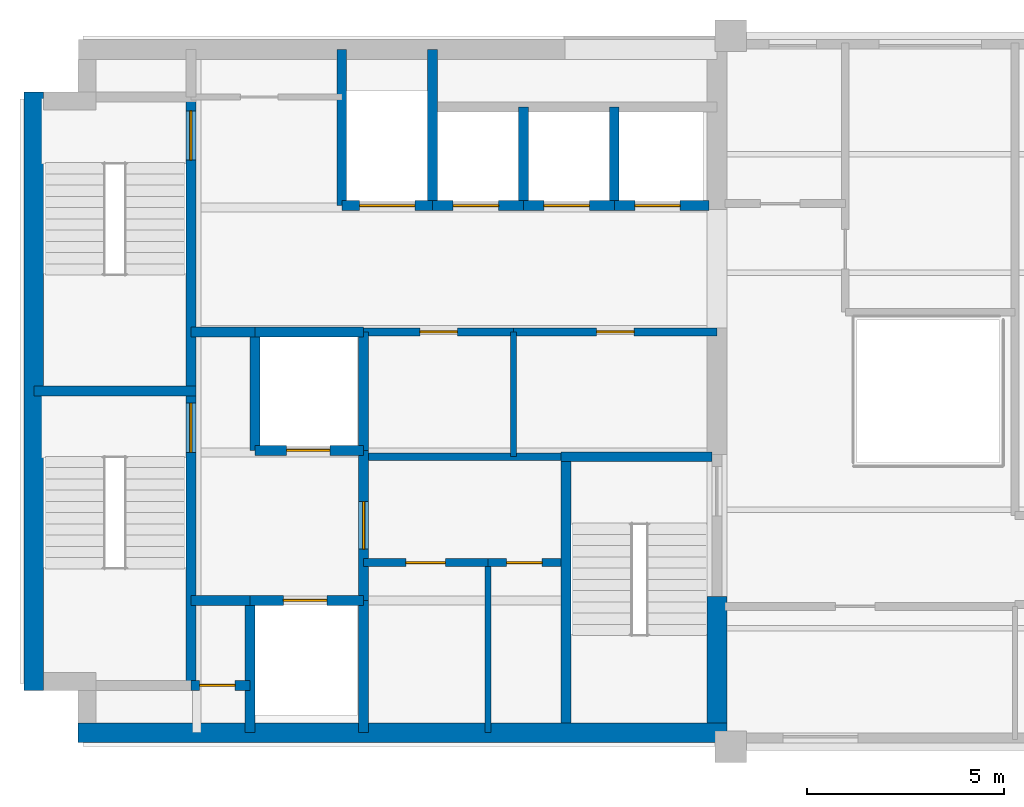
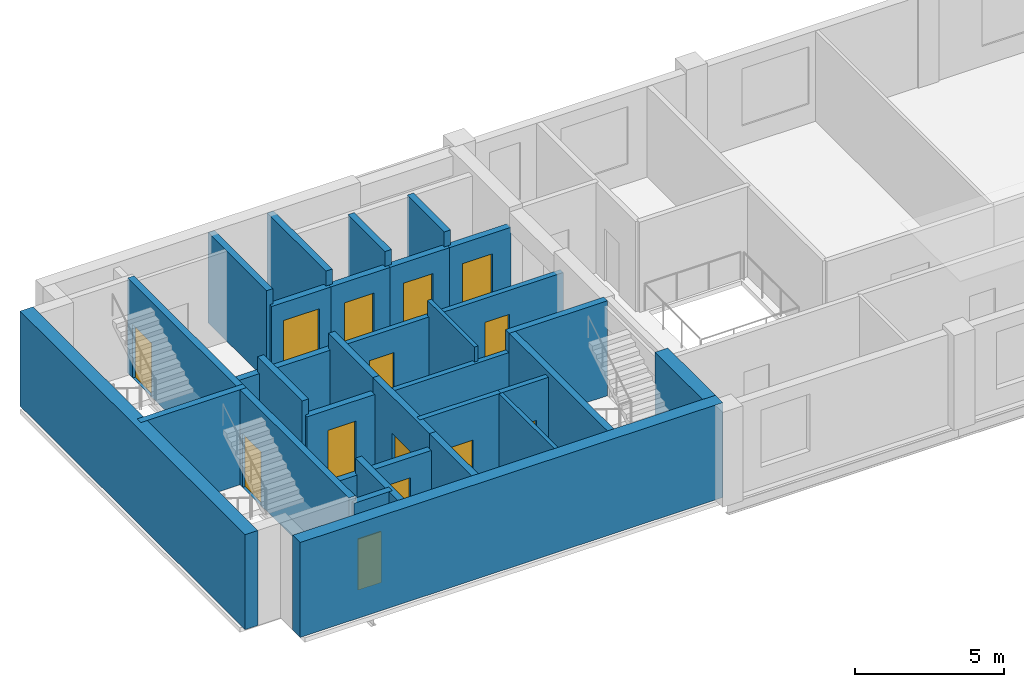
# One storey, part 2 of 5: 34 walls, 14 doors, 14 openings.
"""IFC4 building model written with IfcOpenShell, lengths in metres."""

from ifc_helpers import new_model, si_unit, direction, frame, frame_2d, origin, place, context, subcontext, project, spatial, rectangle, extrude, material, layer, layer_set, type_object, element, fill, save


model = new_model("IFC4")

# Units and contexts
model_context = context("Model", 3, precision=1e-05, world=origin(), true_north=direction((0.0, 1.0)))
body_context = subcontext(model_context, "Body", "Model", "MODEL_VIEW")
ifc_project = project(units=[si_unit("LENGTHUNIT", "METRE"), si_unit("AREAUNIT", "SQUARE_METRE"), si_unit("VOLUMEUNIT", "CUBIC_METRE"), si_unit("PLANEANGLEUNIT", "RADIAN"), si_unit("MASSUNIT", "GRAM", prefix="KILO")], contexts=[model_context])

# Site, building, storey
site_placement = place(None, origin())
site = spatial("IfcSite", under=ifc_project, at=site_placement, CompositionType="ELEMENT")
building_placement = place(site_placement, origin())
building = spatial("IfcBuilding", under=site, at=building_placement, Name="Mawjdan Bourse Tower", CompositionType="ELEMENT")
storey_placement = place(building_placement, frame((0.0, 0.0, 258.60009765625)))
storey = spatial("IfcBuildingStorey", under=building, at=storey_placement, Name="L63", CompositionType="ELEMENT", Elevation=258.60009765625)

# Wall, opening, door
ifc_material_1 = material(Name="Gypsum Fireboard Assembly")
ifc_layer_1 = layer(ifc_material_1, 0.199951171875)
ifc_layer_set_1 = layer_set([ifc_layer_1], Name="Gypsum Fireboard Assembly")
wall_type_1 = type_object("IfcWallType", Name="WL-CMP-200", PredefinedType="PARTITIONING", material=ifc_layer_set_1)
wall_1_placement = place(storey_placement, frame((14.699951171875, 7.659912109375, 0.0), z_axis=(0.0, 0.0, 1.0), x_axis=(1.0, 0.0, 0.0)))
wall_1 = element("IfcWall", 1, at=wall_1_placement, inside=storey, type_object=wall_type_1, Name="L63 Prayer & Quiet Reflection Room North Wall", PredefinedType="PARTITIONING", context=body_context, shape_type="SweptSolid", body=[
    extrude(rectangle(XDim=3.150146484375, YDim=0.199951171875, at=frame_2d((1.5751953125, 0.0))), origin(), (0.0, 0.0, 1.0), 3.704833984375),
])
opening_1_placement = place(wall_1_placement, frame((1.074951171875, 0.0, 0.0)))
opening_1 = element("IfcOpeningElement", 2, at=opening_1_placement, cuts=wall_1, Name="Opening D-L63-13", PredefinedType="OPENING", context=body_context, shape_type="SweptSolid", body=[
    extrude(rectangle(XDim=1.0, YDim=2.14990234375, at=frame_2d((0.5, 1.074951171875))), frame((0.0, 0.10986328125, 0.0), z_axis=(0.0, -1.0, 0.0), x_axis=(1.0, 0.0, 0.0)), (0.0, 0.0, 1.0), 0.219970703125),
])
ifc_material_2 = material(Name="Hardwood Acoustic Leaf", Category="wood")
door_type_1 = type_object("IfcDoorType", Name="DR-OFC-1000", OperationType="NOTDEFINED", PredefinedType="DOOR", material=ifc_material_2)
door_1_placement = place(opening_1_placement, origin())
door_1 = element("IfcDoor", 3, at=door_1_placement, inside=storey, type_object=door_type_1, Name="L63 Prayer & Quiet Reflection Room Door D-L63-13", OperationType="SINGLE_SWING_RIGHT", OverallHeight=2.14990234375, OverallWidth=1.0, PredefinedType="DOOR", context=body_context, shape_type="SweptSolid", body=[
    extrude(rectangle(XDim=1.0, YDim=2.14990234375, at=frame_2d((0.5, 1.074951171875))), frame((0.0, 0.02490234375, 0.0), z_axis=(0.0, -1.0, 0.0), x_axis=(1.0, 0.0, 0.0)), (0.0, 0.0, 1.0), 0.050048828125),
])
fill(opening_1, door_1)

wall_2_placement = place(storey_placement, frame((17.85009765625, 7.659912109375, 0.0), z_axis=(0.0, 0.0, 1.0), x_axis=(1.0, 0.0, 0.0)))
wall_2 = element("IfcWall", 4, at=wall_2_placement, inside=storey, type_object=wall_type_1, Name="L63 Electrical Switchboard Room North Wall", PredefinedType="PARTITIONING", context=body_context, shape_type="SweptSolid", body=[
    extrude(rectangle(XDim=1.849853515625, YDim=0.199951171875, at=frame_2d((0.9248046875, 0.0))), origin(), (0.0, 0.0, 1.0), 3.704833984375),
])
opening_2_placement = place(wall_2_placement, frame((0.47509765625, 0.0, 0.0)))
opening_2 = element("IfcOpeningElement", 5, at=opening_2_placement, cuts=wall_2, Name="Opening D-L63-14", PredefinedType="OPENING", context=body_context, shape_type="SweptSolid", body=[
    extrude(rectangle(XDim=0.89990234375, YDim=2.10009765625, at=frame_2d((0.449951171875, 1.050048828125))), frame((0.0, 0.10986328125, 0.0), z_axis=(0.0, -1.0, 0.0), x_axis=(1.0, 0.0, 0.0)), (0.0, 0.0, 1.0), 0.219970703125),
])
ifc_material_3 = material(Name="Fire-Rated Steel Access Leaf", Category="steel")
door_type_2 = type_object("IfcDoorType", Name="FD-RSR-0900", OperationType="NOTDEFINED", PredefinedType="TRAPDOOR", material=ifc_material_3)
door_2_placement = place(opening_2_placement, origin())
door_2 = element("IfcDoor", 6, at=door_2_placement, inside=storey, type_object=door_type_2, Name="L63 Electrical Switchboard Room Door D-L63-14", OperationType="SINGLE_SWING_LEFT", OverallHeight=2.10009765625, OverallWidth=0.89990234375, PredefinedType="TRAPDOOR", context=body_context, shape_type="SweptSolid", body=[
    extrude(rectangle(XDim=0.89990234375, YDim=2.10009765625, at=frame_2d((0.449951171875, 1.050048828125))), frame((0.0, 0.02490234375, 0.0), z_axis=(0.0, -1.0, 0.0), x_axis=(1.0, 0.0, 0.0)), (0.0, 0.0, 1.0), 0.050048828125),
])
fill(opening_2, door_2)

# Wall
wall_3_placement = place(storey_placement, frame((14.824951171875, 10.340087890625, 0.0), z_axis=(0.0, 0.0, 1.0), x_axis=(1.0, 0.0, 0.0)))
element("IfcWall", 7, at=wall_3_placement, inside=storey, type_object=wall_type_1, Name="L63 Core Restroom Suite South Wall", PredefinedType="PARTITIONING", context=body_context, shape_type="SweptSolid", body=[
    extrude(rectangle(XDim=4.880126953125, YDim=0.199951171875, at=frame_2d((2.43994140625, 0.0))), origin(), (0.0, 0.0, 1.0), 3.087890625),
])

# Wall, opening, door
wall_4_placement = place(storey_placement, frame((14.699951171875, 13.5, 0.0), z_axis=(0.0, 0.0, 1.0), x_axis=(1.0, 0.0, 0.0)))
wall_4 = element("IfcWall", 8, at=wall_4_placement, inside=storey, type_object=wall_type_1, Name="L63 Accessible WC North Wall", PredefinedType="PARTITIONING", context=body_context, shape_type="SweptSolid", body=[
    extrude(rectangle(XDim=3.800048828125, YDim=0.199951171875, at=frame_2d((1.89990234375, 0.0))), origin(), (0.0, 0.0, 1.0), 3.087890625),
])
opening_3_placement = place(wall_4_placement, frame((1.425048828125, 0.0, 0.0)))
opening_3 = element("IfcOpeningElement", 9, at=opening_3_placement, cuts=wall_4, Name="Opening D-L63-15", PredefinedType="OPENING", context=body_context, shape_type="SweptSolid", body=[
    extrude(rectangle(XDim=0.949951171875, YDim=2.10009765625, at=frame_2d((0.47509765625, 1.050048828125))), frame((0.0, 0.10986328125, 0.0), z_axis=(0.0, -1.0, 0.0), x_axis=(1.0, 0.0, 0.0)), (0.0, 0.0, 1.0), 0.219970703125),
])
ifc_material_4 = material(Name="Moisture-Resistant Laminate Timber", Category="wood")
door_type_3 = type_object("IfcDoorType", Name="DR-WET-0950", OperationType="NOTDEFINED", PredefinedType="DOOR", material=ifc_material_4)
door_3_placement = place(opening_3_placement, origin())
door_3 = element("IfcDoor", 10, at=door_3_placement, inside=storey, type_object=door_type_3, Name="L63 Accessible WC Door D-L63-15", OperationType="SINGLE_SWING_RIGHT", OverallHeight=2.10009765625, OverallWidth=0.949951171875, PredefinedType="DOOR", context=body_context, shape_type="SweptSolid", body=[
    extrude(rectangle(XDim=0.949951171875, YDim=2.10009765625, at=frame_2d((0.47509765625, 1.050048828125))), frame((0.0, 0.02490234375, 0.0), z_axis=(0.0, -1.0, 0.0), x_axis=(1.0, 0.0, 0.0)), (0.0, 0.0, 1.0), 0.050048828125),
])
fill(opening_3, door_3)

wall_5_placement = place(storey_placement, frame((18.5, 13.5, 0.0), z_axis=(0.0, 0.0, 1.0), x_axis=(1.0, 0.0, 0.0)))
wall_5 = element("IfcWall", 11, at=wall_5_placement, inside=storey, type_object=wall_type_1, Name="L63 Female Restroom North Wall", PredefinedType="PARTITIONING", context=body_context, shape_type="SweptSolid", body=[
    extrude(rectangle(XDim=5.14990234375, YDim=0.199951171875, at=frame_2d((2.574951171875, 0.0))), origin(), (0.0, 0.0, 1.0), 3.087890625),
])
opening_4_placement = place(wall_5_placement, frame((2.10009765625, 0.0, 0.0)))
opening_4 = element("IfcOpeningElement", 12, at=opening_4_placement, cuts=wall_5, Name="Opening D-L63-16", PredefinedType="OPENING", context=body_context, shape_type="SweptSolid", body=[
    extrude(rectangle(XDim=0.949951171875, YDim=2.10009765625, at=frame_2d((0.47509765625, 1.050048828125))), frame((0.0, 0.10986328125, 0.0), z_axis=(0.0, -1.0, 0.0), x_axis=(1.0, 0.0, 0.0)), (0.0, 0.0, 1.0), 0.219970703125),
])
door_4_placement = place(opening_4_placement, origin())
door_4 = element("IfcDoor", 13, at=door_4_placement, inside=storey, type_object=door_type_3, Name="L63 Female Restroom Door D-L63-16", OperationType="SINGLE_SWING_LEFT", OverallHeight=2.10009765625, OverallWidth=0.949951171875, PredefinedType="DOOR", context=body_context, shape_type="SweptSolid", body=[
    extrude(rectangle(XDim=0.949951171875, YDim=2.10009765625, at=frame_2d((0.47509765625, 1.050048828125))), frame((0.0, 0.02490234375, 0.0), z_axis=(0.0, -1.0, 0.0), x_axis=(1.0, 0.0, 0.0)), (0.0, 0.0, 1.0), 0.050048828125),
])
fill(opening_4, door_4)

# Walls
ifc_material_5 = material(Name="Concrete C60/75", Category="concrete")
ifc_layer_2 = layer(ifc_material_5, 0.5)
ifc_layer_set_2 = layer_set([ifc_layer_2], Name="Concrete C60/75")
wall_type_2 = type_object("IfcWallType", Name="WL-CORE-500", PredefinedType="SHEAR", material=ifc_layer_set_2)
wall_6_placement = place(storey_placement, frame((7.47509765625, 3.35009765625, 0.0), z_axis=(0.0, 0.0, 1.0), x_axis=(1.0, 0.0, 0.0)))
element("IfcWall", 14, at=wall_6_placement, inside=storey, type_object=wall_type_2, Name="L63 Rear Core Shear Wall S", PredefinedType="SHEAR", context=body_context, shape_type="SweptSolid", body=[
    extrude(rectangle(XDim=16.4248046875, YDim=0.5, at=frame_2d((8.21240234375, 0.0))), origin(), (0.0, 0.0, 1.0), 3.89990234375),
])
wall_7_placement = place(storey_placement, frame((6.35009765625, 4.425048828125, 0.0), z_axis=(0.0, 0.0, 1.0), x_axis=(0.0, 1.0, 0.0)))
element("IfcWall", 15, at=wall_7_placement, inside=storey, type_object=wall_type_2, Name="L63 Rear Core Shear Wall W", PredefinedType="SHEAR", context=body_context, shape_type="SweptSolid", body=[
    extrude(rectangle(XDim=15.14990234375, YDim=0.5, at=frame_2d((7.574951171875, 0.0))), origin(), (0.0, 0.0, 1.0), 3.89990234375),
])
wall_8_placement = place(storey_placement, frame((23.64990234375, 3.60009765625, 0.0), z_axis=(0.0, 0.0, 1.0), x_axis=(0.0, 1.0, 0.0)))
element("IfcWall", 16, at=wall_8_placement, inside=storey, type_object=wall_type_2, Name="L63 Rear Core Shear Wall E1", PredefinedType="SHEAR", context=body_context, shape_type="SweptSolid", body=[
    extrude(rectangle(XDim=3.199951171875, YDim=0.5, at=frame_2d((1.60009765625, 0.0))), origin(), (0.0, 0.0, 1.0), 3.89990234375),
])
ifc_material_6 = material(Name="Gypsum Acoustic Partition")
ifc_layer_3 = layer(ifc_material_6, 0.14990234375)
ifc_layer_set_3 = layer_set([ifc_layer_3], Name="Gypsum Acoustic Partition")
wall_type_3 = type_object("IfcWallType", Name="WL-PRT-150", PredefinedType="PARTITIONING", material=ifc_layer_set_3)
wall_9_placement = place(storey_placement, frame((17.85009765625, 3.35009765625, 0.0), z_axis=(0.0, 0.0, 1.0), x_axis=(0.0, 1.0, 0.0)))
element("IfcWall", 17, at=wall_9_placement, inside=storey, type_object=wall_type_3, Name="L63 Electrical Switchboard Room Core Split Wall", PredefinedType="PARTITIONING", context=body_context, shape_type="SweptSolid", body=[
    extrude(rectangle(XDim=4.309814453125, YDim=0.14990234375, at=frame_2d((2.15478515625, 0.0))), origin(), (0.0, 0.0, 1.0), 3.704833984375),
])
wall_10_placement = place(storey_placement, frame((18.5, 10.340087890625, 0.0), z_axis=(0.0, 0.0, 1.0), x_axis=(0.0, 1.0, 0.0)))
element("IfcWall", 18, at=wall_10_placement, inside=storey, type_object=wall_type_3, Name="L63 Female Restroom Split Wall", PredefinedType="PARTITIONING", context=body_context, shape_type="SweptSolid", body=[
    extrude(rectangle(XDim=3.159912109375, YDim=0.14990234375, at=frame_2d((1.580078125, 0.0))), origin(), (0.0, 0.0, 1.0), 3.704833984375),
])

# Wall, opening, door
ifc_material_7 = material(Name="Concrete C50/60", Category="concrete")
ifc_layer_4 = layer(ifc_material_7, 0.25)
ifc_layer_set_4 = layer_set([ifc_layer_4], Name="Concrete C50/60")
wall_type_4 = type_object("IfcWallType", Name="WL-SHFT-250", PredefinedType="PARTITIONING", material=ifc_layer_set_4)
wall_11_placement = place(storey_placement, frame((10.330078125, 4.550048828125, 0.0), z_axis=(0.0, 0.0, 1.0), x_axis=(1.0, 0.0, 0.0)))
wall_11 = element("IfcWall", 19, at=wall_11_placement, inside=storey, type_object=wall_type_4, Name="L63 SW Riser North Wall", PredefinedType="PARTITIONING", context=body_context, shape_type="SweptSolid", body=[
    extrude(rectangle(XDim=1.489990234375, YDim=0.25, at=frame_2d((0.7451171875, 0.0))), origin(), (0.0, 0.0, 1.0), 3.704833984375),
])
opening_5_placement = place(wall_11_placement, frame((0.219970703125, 0.0, 0.0)))
opening_5 = element("IfcOpeningElement", 20, at=opening_5_placement, cuts=wall_11, Name="Opening RD-L63-03", PredefinedType="OPENING", context=body_context, shape_type="SweptSolid", body=[
    extrude(rectangle(XDim=0.89990234375, YDim=2.10009765625, at=frame_2d((0.449951171875, 1.050048828125))), frame((0.0, 0.135009765625, 0.0), z_axis=(0.0, -1.0, 0.0), x_axis=(1.0, 0.0, 0.0)), (0.0, 0.0, 1.0), 0.27001953125),
])
door_5_placement = place(opening_5_placement, origin())
door_5 = element("IfcDoor", 21, at=door_5_placement, inside=storey, type_object=door_type_2, Name="L63 Electrical Riser Access Door RD-L63-03", OperationType="SINGLE_SWING_RIGHT", OverallHeight=2.10009765625, OverallWidth=0.89990234375, PredefinedType="TRAPDOOR", context=body_context, shape_type="SweptSolid", body=[
    extrude(rectangle(XDim=0.89990234375, YDim=2.10009765625, at=frame_2d((0.449951171875, 1.050048828125))), frame((0.0, 0.02490234375, 0.0), z_axis=(0.0, -1.0, 0.0), x_axis=(1.0, 0.0, 0.0)), (0.0, 0.0, 1.0), 0.050048828125),
])
fill(opening_5, door_5)

# Wall
wall_12_placement = place(storey_placement, frame((11.820068359375, 3.35009765625, 0.0), z_axis=(0.0, 0.0, 1.0), x_axis=(0.0, 1.0, 0.0)))
element("IfcWall", 22, at=wall_12_placement, inside=storey, type_object=wall_type_4, Name="L63 SW Riser & FFL01 West Wall", PredefinedType="PARTITIONING", context=body_context, shape_type="SweptSolid", body=[
    extrude(rectangle(XDim=3.349853515625, YDim=0.25, at=frame_2d((1.6748046875, 0.0))), origin(), (0.0, 0.0, 1.0), 3.704833984375),
])

# Wall, opening, door
wall_13_placement = place(storey_placement, frame((11.820068359375, 6.699951171875, 0.0), z_axis=(0.0, 0.0, 1.0), x_axis=(1.0, 0.0, 0.0)))
wall_13 = element("IfcWall", 23, at=wall_13_placement, inside=storey, type_object=wall_type_4, Name="L63 FFL-01 Front Shaft Wall", PredefinedType="PARTITIONING", context=body_context, shape_type="SweptSolid", body=[
    extrude(rectangle(XDim=2.8798828125, YDim=0.25, at=frame_2d((1.43994140625, 0.0))), origin(), (0.0, 0.0, 1.0), 3.087890625),
])
opening_6_placement = place(wall_13_placement, frame((0.85009765625, 0.0, 0.0)))
opening_6 = element("IfcOpeningElement", 24, at=opening_6_placement, cuts=wall_13, Name="Opening LD-L63-05", PredefinedType="OPENING", context=body_context, shape_type="SweptSolid", body=[
    extrude(rectangle(XDim=1.10009765625, YDim=2.25, at=frame_2d((0.550048828125, 1.125))), frame((0.0, 0.135009765625, 0.0), z_axis=(0.0, -1.0, 0.0), x_axis=(1.0, 0.0, 0.0)), (0.0, 0.0, 1.0), 0.27001953125),
])
ifc_material_8 = material(Name="Brushed Stainless Steel", Category="steel")
door_type_4 = type_object("IfcDoorType", Name="LD-FFL-1100", OperationType="DOUBLE_DOOR_SLIDING", PredefinedType="DOOR", material=ifc_material_8)
door_6_placement = place(opening_6_placement, origin())
door_6 = element("IfcDoor", 25, at=door_6_placement, inside=storey, type_object=door_type_4, Name="L63 Firefighting Lift FFL-01 Landing Door LD-L63-05", OperationType="DOUBLE_DOOR_SLIDING", OverallHeight=2.25, OverallWidth=1.10009765625, PredefinedType="DOOR", context=body_context, shape_type="SweptSolid", body=[
    extrude(rectangle(XDim=1.10009765625, YDim=2.25, at=frame_2d((0.550048828125, 1.125))), frame((0.0, 0.02490234375, 0.0), z_axis=(0.0, -1.0, 0.0), x_axis=(1.0, 0.0, 0.0)), (0.0, 0.0, 1.0), 0.050048828125),
])
fill(opening_6, door_6)

# Wall
wall_14_placement = place(storey_placement, frame((14.699951171875, 3.35009765625, 0.0), z_axis=(0.0, 0.0, 1.0), x_axis=(0.0, 1.0, 0.0)))
element("IfcWall", 26, at=wall_14_placement, inside=storey, type_object=wall_type_4, Name="L63 FFL-01 East Shaft Wall", PredefinedType="PARTITIONING", context=body_context, shape_type="SweptSolid", body=[
    extrude(rectangle(XDim=3.349853515625, YDim=0.25, at=frame_2d((1.6748046875, 0.0))), origin(), (0.0, 0.0, 1.0), 3.704833984375),
])

# Wall, opening, door
wall_15_placement = place(storey_placement, frame((11.949951171875, 10.5, 0.0), z_axis=(0.0, 0.0, 1.0), x_axis=(1.0, 0.0, 0.0)))
wall_15 = element("IfcWall", 27, at=wall_15_placement, inside=storey, type_object=wall_type_4, Name="L63 FFL-02 Front Shaft Wall", PredefinedType="PARTITIONING", context=body_context, shape_type="SweptSolid", body=[
    extrude(rectangle(XDim=2.75, YDim=0.25, at=frame_2d((1.375, 0.0))), origin(), (0.0, 0.0, 1.0), 3.087890625),
])
opening_7_placement = place(wall_15_placement, frame((0.800048828125, 0.0, 0.0)))
opening_7 = element("IfcOpeningElement", 28, at=opening_7_placement, cuts=wall_15, Name="Opening LD-L63-06", PredefinedType="OPENING", context=body_context, shape_type="SweptSolid", body=[
    extrude(rectangle(XDim=1.10009765625, YDim=2.25, at=frame_2d((0.550048828125, 1.125))), frame((0.0, 0.135009765625, 0.0), z_axis=(0.0, -1.0, 0.0), x_axis=(1.0, 0.0, 0.0)), (0.0, 0.0, 1.0), 0.27001953125),
])
door_7_placement = place(opening_7_placement, origin())
door_7 = element("IfcDoor", 29, at=door_7_placement, inside=storey, type_object=door_type_4, Name="L63 Firefighting Lift FFL-02 Landing Door LD-L63-06", OperationType="DOUBLE_DOOR_SLIDING", OverallHeight=2.25, OverallWidth=1.10009765625, PredefinedType="DOOR", context=body_context, shape_type="SweptSolid", body=[
    extrude(rectangle(XDim=1.10009765625, YDim=2.25, at=frame_2d((0.550048828125, 1.125))), frame((0.0, 0.02490234375, 0.0), z_axis=(0.0, -1.0, 0.0), x_axis=(1.0, 0.0, 0.0)), (0.0, 0.0, 1.0), 0.050048828125),
])
fill(opening_7, door_7)

# Walls
wall_16_placement = place(storey_placement, frame((11.949951171875, 10.5, 0.0), z_axis=(0.0, 0.0, 1.0), x_axis=(0.0, 1.0, 0.0)))
element("IfcWall", 30, at=wall_16_placement, inside=storey, type_object=wall_type_4, Name="L63 FFL-02 West Shaft Wall", PredefinedType="PARTITIONING", context=body_context, shape_type="SweptSolid", body=[
    extrude(rectangle(XDim=3.0, YDim=0.25, at=frame_2d((1.5, 0.0))), origin(), (0.0, 0.0, 1.0), 3.704833984375),
])
wall_17_placement = place(storey_placement, frame((11.949951171875, 13.5, 0.0), z_axis=(0.0, 0.0, 1.0), x_axis=(1.0, 0.0, 0.0)))
element("IfcWall", 31, at=wall_17_placement, inside=storey, type_object=wall_type_4, Name="L63 FFL-02 North Shaft Wall", PredefinedType="PARTITIONING", context=body_context, shape_type="SweptSolid", body=[
    extrude(rectangle(XDim=2.75, YDim=0.25, at=frame_2d((1.375, 0.0))), origin(), (0.0, 0.0, 1.0), 3.087890625),
])
wall_18_placement = place(storey_placement, frame((14.699951171875, 10.5, 0.0), z_axis=(0.0, 0.0, 1.0), x_axis=(0.0, 1.0, 0.0)))
element("IfcWall", 32, at=wall_18_placement, inside=storey, type_object=wall_type_4, Name="L63 FFL-02 East Shaft Wall", PredefinedType="PARTITIONING", context=body_context, shape_type="SweptSolid", body=[
    extrude(rectangle(XDim=3.0, YDim=0.25, at=frame_2d((1.5, 0.0))), origin(), (0.0, 0.0, 1.0), 3.704833984375),
])

# Wall, opening, door
wall_19_placement = place(storey_placement, frame((14.699951171875, 6.699951171875, 0.0), z_axis=(0.0, 0.0, 1.0), x_axis=(0.0, 1.0, 0.0)))
wall_19 = element("IfcWall", 33, at=wall_19_placement, inside=storey, type_object=wall_type_4, Name="L63 Firefighting Lobby East Compartment Wall", PredefinedType="PARTITIONING", context=body_context, shape_type="SweptSolid", body=[
    extrude(rectangle(XDim=3.800048828125, YDim=0.25, at=frame_2d((1.89990234375, 0.0))), origin(), (0.0, 0.0, 1.0), 3.704833984375),
])
opening_8_placement = place(wall_19_placement, frame((1.300048828125, 0.0, 0.0)))
opening_8 = element("IfcOpeningElement", 34, at=opening_8_placement, cuts=wall_19, Name="Opening FD-L63-07", PredefinedType="OPENING", context=body_context, shape_type="SweptSolid", body=[
    extrude(rectangle(XDim=1.199951171875, YDim=2.199951171875, at=frame_2d((0.60009765625, 1.10009765625))), frame((0.0, 0.135009765625, 0.0), z_axis=(0.0, -1.0, 0.0), x_axis=(1.0, 0.0, 0.0)), (0.0, 0.0, 1.0), 0.27001953125),
])
ifc_material_9 = material(Name="Fire-Rated Steel Leaf", Category="steel")
door_type_5 = type_object("IfcDoorType", Name="FD-FFL-1200", OperationType="NOTDEFINED", PredefinedType="DOOR", material=ifc_material_9)
door_8_placement = place(opening_8_placement, origin())
door_8 = element("IfcDoor", 35, at=door_8_placement, inside=storey, type_object=door_type_5, Name="L63 Firefighting Lobby East Smoke Door FD-L63-07", OperationType="SINGLE_SWING_RIGHT", OverallHeight=2.199951171875, OverallWidth=1.199951171875, PredefinedType="DOOR", context=body_context, shape_type="SweptSolid", body=[
    extrude(rectangle(XDim=1.199951171875, YDim=2.199951171875, at=frame_2d((0.60009765625, 1.10009765625))), frame((0.0, 0.02490234375, 0.0), z_axis=(0.0, -1.0, 0.0), x_axis=(1.0, 0.0, 0.0)), (0.0, 0.0, 1.0), 0.050048828125),
])
fill(opening_8, door_8)

# Walls
wall_20_placement = place(storey_placement, frame((10.330078125, 13.5, 0.0), z_axis=(0.0, 0.0, 1.0), x_axis=(1.0, 0.0, 0.0)))
element("IfcWall", 36, at=wall_20_placement, inside=storey, type_object=wall_type_4, Name="L63 Firefighting Lobby North Compartment Wall", PredefinedType="PARTITIONING", context=body_context, shape_type="SweptSolid", body=[
    extrude(rectangle(XDim=1.619873046875, YDim=0.25, at=frame_2d((0.81005859375, 0.0))), origin(), (0.0, 0.0, 1.0), 3.087890625),
])
wall_21_placement = place(storey_placement, frame((10.330078125, 6.699951171875, 0.0), z_axis=(0.0, 0.0, 1.0), x_axis=(1.0, 0.0, 0.0)))
element("IfcWall", 37, at=wall_21_placement, inside=storey, type_object=wall_type_4, Name="L63 Firefighting Lobby South Closure Wall", PredefinedType="PARTITIONING", context=body_context, shape_type="SweptSolid", body=[
    extrude(rectangle(XDim=1.489990234375, YDim=0.25, at=frame_2d((0.7451171875, 0.0))), origin(), (0.0, 0.0, 1.0), 3.087890625),
])

# Wall, opening, door
wall_22_placement = place(storey_placement, frame((14.14990234375, 16.699951171875, 0.0), z_axis=(0.0, 0.0, 1.0), x_axis=(1.0, 0.0, 0.0)))
wall_22 = element("IfcWall", 38, at=wall_22_placement, inside=storey, type_object=wall_type_4, Name="L63 SVL-01 Front Shaft Wall", PredefinedType="PARTITIONING", context=body_context, shape_type="SweptSolid", body=[
    extrude(rectangle(XDim=2.300048828125, YDim=0.25, at=frame_2d((1.14990234375, 0.0))), origin(), (0.0, 0.0, 1.0), 3.087890625),
])
opening_9_placement = place(wall_22_placement, frame((0.449951171875, 0.0, 0.0)))
opening_9 = element("IfcOpeningElement", 39, at=opening_9_placement, cuts=wall_22, Name="Opening LD-L63-09", PredefinedType="OPENING", context=body_context, shape_type="SweptSolid", body=[
    extrude(rectangle(XDim=1.39990234375, YDim=2.35009765625, at=frame_2d((0.699951171875, 1.175048828125))), frame((0.0, 0.135009765625, 0.0), z_axis=(0.0, -1.0, 0.0), x_axis=(1.0, 0.0, 0.0)), (0.0, 0.0, 1.0), 0.27001953125),
])
ifc_material_10 = material(Name="Heavy-Duty Stainless Steel", Category="steel")
door_type_6 = type_object("IfcDoorType", Name="LD-SRV-1400", OperationType="DOUBLE_DOOR_SLIDING", PredefinedType="DOOR", material=ifc_material_10)
door_9_placement = place(opening_9_placement, origin())
door_9 = element("IfcDoor", 40, at=door_9_placement, inside=storey, type_object=door_type_6, Name="L63 Service Lift SVL-01 Landing Door LD-L63-09", OperationType="DOUBLE_DOOR_SLIDING", OverallHeight=2.35009765625, OverallWidth=1.39990234375, PredefinedType="DOOR", context=body_context, shape_type="SweptSolid", body=[
    extrude(rectangle(XDim=1.39990234375, YDim=2.35009765625, at=frame_2d((0.699951171875, 1.175048828125))), frame((0.0, 0.02490234375, 0.0), z_axis=(0.0, -1.0, 0.0), x_axis=(1.0, 0.0, 0.0)), (0.0, 0.0, 1.0), 0.050048828125),
])
fill(opening_9, door_9)

# Walls
for number, where, z_axis, x_axis, name in (
    (41, (14.14990234375, 16.699951171875, 0.0), (0.0, 0.0, 1.0), (0.0, 1.0, 0.0), "L63 SVL-01 West Shaft Wall"),
    (42, (16.449951171875, 16.699951171875, 0.0), (0.0, 0.0, 1.0), (0.0, 1.0, 0.0), "L63 SVL-01 East Shaft Wall"),
):
    element("IfcWall", number, at=place(storey_placement, frame(where, z_axis=z_axis, x_axis=x_axis)), inside=storey, type_object=wall_type_4, Name=name, PredefinedType="PARTITIONING", context=body_context, shape_type="SweptSolid", body=[
        extrude(rectangle(XDim=3.949951171875, YDim=0.25, at=frame_2d((1.97509765625, 0.0))), origin(), (0.0, 0.0, 1.0), 3.704833984375),
    ])

# Wall, opening, door
wall_23_placement = place(storey_placement, frame((16.449951171875, 16.699951171875, 0.0), z_axis=(0.0, 0.0, 1.0), x_axis=(1.0, 0.0, 0.0)))
wall_23 = element("IfcWall", 43, at=wall_23_placement, inside=storey, type_object=wall_type_4, Name="L63 PH-01 Front Wall", PredefinedType="PARTITIONING", context=body_context, shape_type="SweptSolid", body=[
    extrude(rectangle(XDim=2.300048828125, YDim=0.25, at=frame_2d((1.14990234375, 0.0))), origin(), (0.0, 0.0, 1.0), 3.087890625),
])
opening_10_placement = place(wall_23_placement, frame((0.52001953125, 0.0, 0.0)))
opening_10 = element("IfcOpeningElement", 44, at=opening_10_placement, cuts=wall_23, Name="Opening LD-L63-10", PredefinedType="OPENING", context=body_context, shape_type="SweptSolid", body=[
    extrude(rectangle(XDim=1.14990234375, YDim=2.25, at=frame_2d((0.574951171875, 1.125))), frame((0.0, 0.135009765625, 0.0), z_axis=(0.0, -1.0, 0.0), x_axis=(1.0, 0.0, 0.0)), (0.0, 0.0, 1.0), 0.27001953125),
])
door_type_7 = type_object("IfcDoorType", Name="LD-PAS-1150", OperationType="DOUBLE_DOOR_SLIDING", PredefinedType="DOOR", material=ifc_material_8)
door_10_placement = place(opening_10_placement, origin())
door_10 = element("IfcDoor", 45, at=door_10_placement, inside=storey, type_object=door_type_7, Name="L63 Lift PH-01 Landing Door LD-L63-10", OperationType="DOUBLE_DOOR_SLIDING", OverallHeight=2.25, OverallWidth=1.14990234375, PredefinedType="DOOR", context=body_context, shape_type="SweptSolid", body=[
    extrude(rectangle(XDim=1.14990234375, YDim=2.25, at=frame_2d((0.574951171875, 1.125))), frame((0.0, 0.02490234375, 0.0), z_axis=(0.0, -1.0, 0.0), x_axis=(1.0, 0.0, 0.0)), (0.0, 0.0, 1.0), 0.050048828125),
])
fill(opening_10, door_10)

# Wall
wall_24_placement = place(storey_placement, frame((18.75, 16.699951171875, 0.0), z_axis=(0.0, 0.0, 1.0), x_axis=(0.0, 1.0, 0.0)))
element("IfcWall", 46, at=wall_24_placement, inside=storey, type_object=wall_type_4, Name="L63 PH-01 Divider Wall", PredefinedType="PARTITIONING", context=body_context, shape_type="SweptSolid", body=[
    extrude(rectangle(XDim=2.5, YDim=0.25, at=frame_2d((1.25, 0.0))), origin(), (0.0, 0.0, 1.0), 3.704833984375),
])

# Wall, opening, door
wall_25_placement = place(storey_placement, frame((18.75, 16.699951171875, 0.0), z_axis=(0.0, 0.0, 1.0), x_axis=(1.0, 0.0, 0.0)))
wall_25 = element("IfcWall", 47, at=wall_25_placement, inside=storey, type_object=wall_type_4, Name="L63 PH-02 Front Wall", PredefinedType="PARTITIONING", context=body_context, shape_type="SweptSolid", body=[
    extrude(rectangle(XDim=2.300048828125, YDim=0.25, at=frame_2d((1.14990234375, 0.0))), origin(), (0.0, 0.0, 1.0), 3.087890625),
])
opening_11_placement = place(wall_25_placement, frame((0.52001953125, 0.0, 0.0)))
opening_11 = element("IfcOpeningElement", 48, at=opening_11_placement, cuts=wall_25, Name="Opening LD-L63-11", PredefinedType="OPENING", context=body_context, shape_type="SweptSolid", body=[
    extrude(rectangle(XDim=1.14990234375, YDim=2.25, at=frame_2d((0.574951171875, 1.125))), frame((0.0, 0.135009765625, 0.0), z_axis=(0.0, -1.0, 0.0), x_axis=(1.0, 0.0, 0.0)), (0.0, 0.0, 1.0), 0.27001953125),
])
door_11_placement = place(opening_11_placement, origin())
door_11 = element("IfcDoor", 49, at=door_11_placement, inside=storey, type_object=door_type_7, Name="L63 Lift PH-02 Landing Door LD-L63-11", OperationType="DOUBLE_DOOR_SLIDING", OverallHeight=2.25, OverallWidth=1.14990234375, PredefinedType="DOOR", context=body_context, shape_type="SweptSolid", body=[
    extrude(rectangle(XDim=1.14990234375, YDim=2.25, at=frame_2d((0.574951171875, 1.125))), frame((0.0, 0.02490234375, 0.0), z_axis=(0.0, -1.0, 0.0), x_axis=(1.0, 0.0, 0.0)), (0.0, 0.0, 1.0), 0.050048828125),
])
fill(opening_11, door_11)

# Wall
wall_26_placement = place(storey_placement, frame((21.050048828125, 16.699951171875, 0.0), z_axis=(0.0, 0.0, 1.0), x_axis=(0.0, 1.0, 0.0)))
element("IfcWall", 50, at=wall_26_placement, inside=storey, type_object=wall_type_4, Name="L63 PH-02 Divider Wall", PredefinedType="PARTITIONING", context=body_context, shape_type="SweptSolid", body=[
    extrude(rectangle(XDim=2.5, YDim=0.25, at=frame_2d((1.25, 0.0))), origin(), (0.0, 0.0, 1.0), 3.704833984375),
])

# Wall, opening, door
wall_27_placement = place(storey_placement, frame((21.050048828125, 16.699951171875, 0.0), z_axis=(0.0, 0.0, 1.0), x_axis=(1.0, 0.0, 0.0)))
wall_27 = element("IfcWall", 51, at=wall_27_placement, inside=storey, type_object=wall_type_4, Name="L63 PH-03 Front Wall", PredefinedType="PARTITIONING", context=body_context, shape_type="SweptSolid", body=[
    extrude(rectangle(XDim=2.39990234375, YDim=0.25, at=frame_2d((1.199951171875, 0.0))), origin(), (0.0, 0.0, 1.0), 3.087890625),
])
opening_12_placement = place(wall_27_placement, frame((0.52001953125, 0.0, 0.0)))
opening_12 = element("IfcOpeningElement", 52, at=opening_12_placement, cuts=wall_27, Name="Opening LD-L63-12", PredefinedType="OPENING", context=body_context, shape_type="SweptSolid", body=[
    extrude(rectangle(XDim=1.14990234375, YDim=2.25, at=frame_2d((0.574951171875, 1.125))), frame((0.0, 0.135009765625, 0.0), z_axis=(0.0, -1.0, 0.0), x_axis=(1.0, 0.0, 0.0)), (0.0, 0.0, 1.0), 0.27001953125),
])
door_12_placement = place(opening_12_placement, origin())
door_12 = element("IfcDoor", 53, at=door_12_placement, inside=storey, type_object=door_type_7, Name="L63 Lift PH-03 Landing Door LD-L63-12", OperationType="DOUBLE_DOOR_SLIDING", OverallHeight=2.25, OverallWidth=1.14990234375, PredefinedType="DOOR", context=body_context, shape_type="SweptSolid", body=[
    extrude(rectangle(XDim=1.14990234375, YDim=2.25, at=frame_2d((0.574951171875, 1.125))), frame((0.0, 0.02490234375, 0.0), z_axis=(0.0, -1.0, 0.0), x_axis=(1.0, 0.0, 0.0)), (0.0, 0.0, 1.0), 0.050048828125),
])
fill(opening_12, door_12)

# Wall
ifc_layer_5 = layer(ifc_material_7, 0.25)
ifc_layer_set_5 = layer_set([ifc_layer_5], Name="Concrete C50/60")
wall_type_5 = type_object("IfcWallType", Name="WL-STRW-250", PredefinedType="SHEAR", material=ifc_layer_set_5)
wall_28_placement = place(storey_placement, frame((6.35009765625, 12.0, 0.0), z_axis=(0.0, 0.0, 1.0), x_axis=(1.0, 0.0, 0.0)))
element("IfcWall", 54, at=wall_28_placement, inside=storey, type_object=wall_type_5, Name="L63 Stairwell Dividing Shaft Wall", PredefinedType="SHEAR", context=body_context, shape_type="SweptSolid", body=[
    extrude(rectangle(XDim=4.10498046875, YDim=0.25, at=frame_2d((2.052490234375, 0.0))), origin(), (0.0, 0.0, 1.0), 3.89990234375),
])

# Wall, opening, door
wall_29_placement = place(storey_placement, frame((10.330078125, 4.550048828125, 0.0), z_axis=(0.0, 0.0, 1.0), x_axis=(0.0, 1.0, 0.0)))
wall_29 = element("IfcWall", 55, at=wall_29_placement, inside=storey, type_object=wall_type_5, Name="L63 Stairwell ST1 East Enclosure Wall", PredefinedType="SHEAR", context=body_context, shape_type="SweptSolid", body=[
    extrude(rectangle(XDim=7.449951171875, YDim=0.25, at=frame_2d((3.72509765625, 0.0))), origin(), (0.0, 0.0, 1.0), 3.89990234375),
])
opening_13_placement = place(wall_29_placement, frame((5.89990234375, 0.0, 0.0)))
opening_13 = element("IfcOpeningElement", 56, at=opening_13_placement, cuts=wall_29, Name="Opening SD-L63-01", PredefinedType="OPENING", context=body_context, shape_type="SweptSolid", body=[
    extrude(rectangle(XDim=1.25, YDim=2.199951171875, at=frame_2d((0.625, 1.10009765625))), frame((0.0, 0.135009765625, 0.0), z_axis=(0.0, -1.0, 0.0), x_axis=(1.0, 0.0, 0.0)), (0.0, 0.0, 1.0), 0.27001953125),
])
door_type_8 = type_object("IfcDoorType", Name="FD-ST-1250", OperationType="NOTDEFINED", PredefinedType="DOOR", material=ifc_material_9)
door_13_placement = place(opening_13_placement, origin())
door_13 = element("IfcDoor", 57, at=door_13_placement, inside=storey, type_object=door_type_8, Name="L63 Exit Stair ST1 Fire Door SD-L63-01", OperationType="SINGLE_SWING_RIGHT", OverallHeight=2.199951171875, OverallWidth=1.25, PredefinedType="DOOR", context=body_context, shape_type="SweptSolid", body=[
    extrude(rectangle(XDim=1.25, YDim=2.199951171875, at=frame_2d((0.625, 1.10009765625))), frame((0.0, 0.02490234375, 0.0), z_axis=(0.0, -1.0, 0.0), x_axis=(1.0, 0.0, 0.0)), (0.0, 0.0, 1.0), 0.050048828125),
])
fill(opening_13, door_13)

wall_30_placement = place(storey_placement, frame((10.330078125, 12.0, 0.0), z_axis=(0.0, 0.0, 1.0), x_axis=(0.0, 1.0, 0.0)))
wall_30 = element("IfcWall", 58, at=wall_30_placement, inside=storey, type_object=wall_type_5, Name="L63 Stairwell ST2 East Enclosure Wall", PredefinedType="SHEAR", context=body_context, shape_type="SweptSolid", body=[
    extrude(rectangle(XDim=7.449951171875, YDim=0.25, at=frame_2d((3.72509765625, 0.0))), origin(), (0.0, 0.0, 1.0), 3.89990234375),
])
opening_14_placement = place(wall_30_placement, frame((5.85009765625, 0.0, 0.0)))
opening_14 = element("IfcOpeningElement", 59, at=opening_14_placement, cuts=wall_30, Name="Opening SD-L63-02", PredefinedType="OPENING", context=body_context, shape_type="SweptSolid", body=[
    extrude(rectangle(XDim=1.25, YDim=2.199951171875, at=frame_2d((0.625, 1.10009765625))), frame((0.0, 0.135009765625, 0.0), z_axis=(0.0, -1.0, 0.0), x_axis=(1.0, 0.0, 0.0)), (0.0, 0.0, 1.0), 0.27001953125),
])
door_14_placement = place(opening_14_placement, origin())
door_14 = element("IfcDoor", 60, at=door_14_placement, inside=storey, type_object=door_type_8, Name="L63 Exit Stair ST2 Fire Door SD-L63-02", OperationType="SINGLE_SWING_LEFT", OverallHeight=2.199951171875, OverallWidth=1.25, PredefinedType="DOOR", context=body_context, shape_type="SweptSolid", body=[
    extrude(rectangle(XDim=1.25, YDim=2.199951171875, at=frame_2d((0.625, 1.10009765625))), frame((0.0, 0.02490234375, 0.0), z_axis=(0.0, -1.0, 0.0), x_axis=(1.0, 0.0, 0.0)), (0.0, 0.0, 1.0), 0.050048828125),
])
fill(opening_14, door_14)

# Walls
wall_31_placement = place(storey_placement, frame((19.830078125, 3.60009765625, 0.0), z_axis=(0.0, 0.0, 1.0), x_axis=(0.0, 1.0, 0.0)))
element("IfcWall", 61, at=wall_31_placement, inside=storey, type_object=wall_type_5, Name="L63 ST7 West Shaft Wall", PredefinedType="SHEAR", context=body_context, shape_type="SweptSolid", body=[
    extrude(rectangle(XDim=6.739990234375, YDim=0.25, at=frame_2d((3.3701171875, 0.0))), origin(), (0.0, 0.0, 1.0), 3.89990234375),
])
wall_32_placement = place(storey_placement, frame((19.705078125, 10.340087890625, 0.0), z_axis=(0.0, 0.0, 1.0), x_axis=(1.0, 0.0, 0.0)))
element("IfcWall", 62, at=wall_32_placement, inside=storey, type_object=wall_type_5, Name="L63 ST7 North Shaft Wall", PredefinedType="SHEAR", context=body_context, shape_type="SweptSolid", body=[
    extrude(rectangle(XDim=3.81982421875, YDim=0.25, at=frame_2d((1.909912109375, 0.0))), origin(), (0.0, 0.0, 1.0), 3.89990234375),
])

save(model, "model.ifc")
